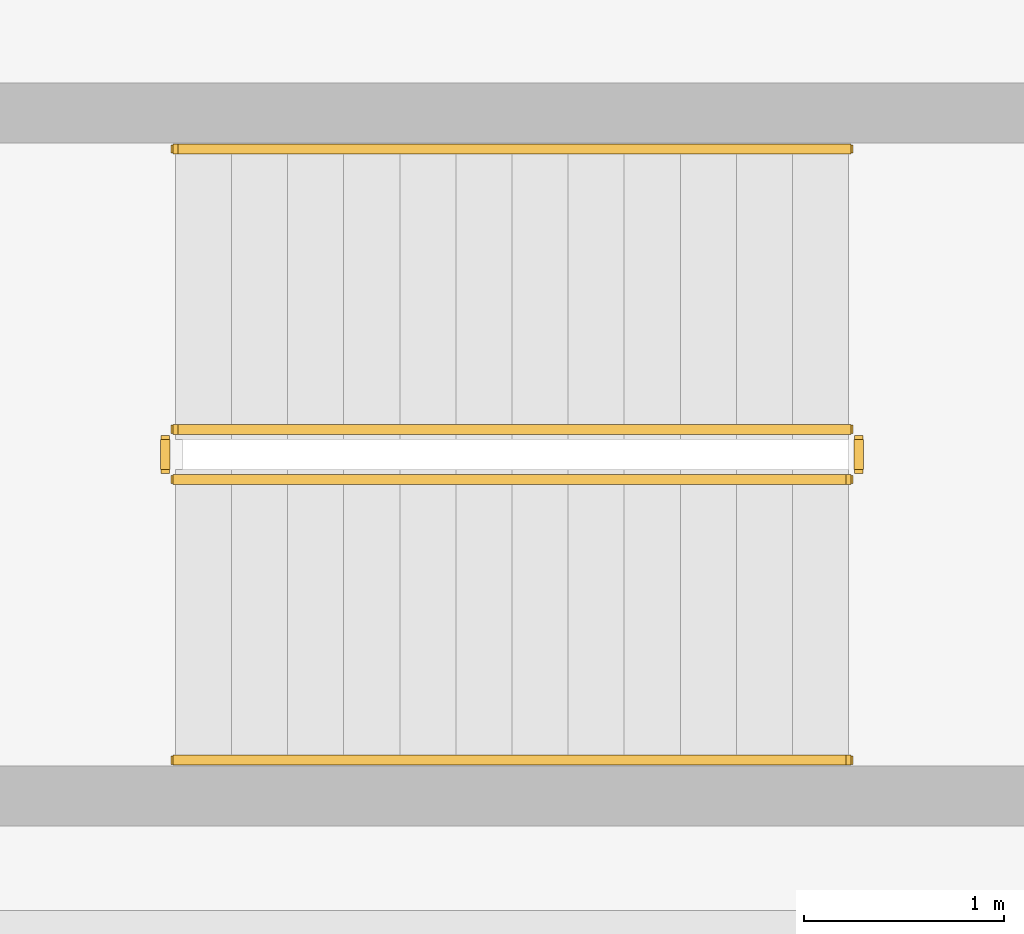
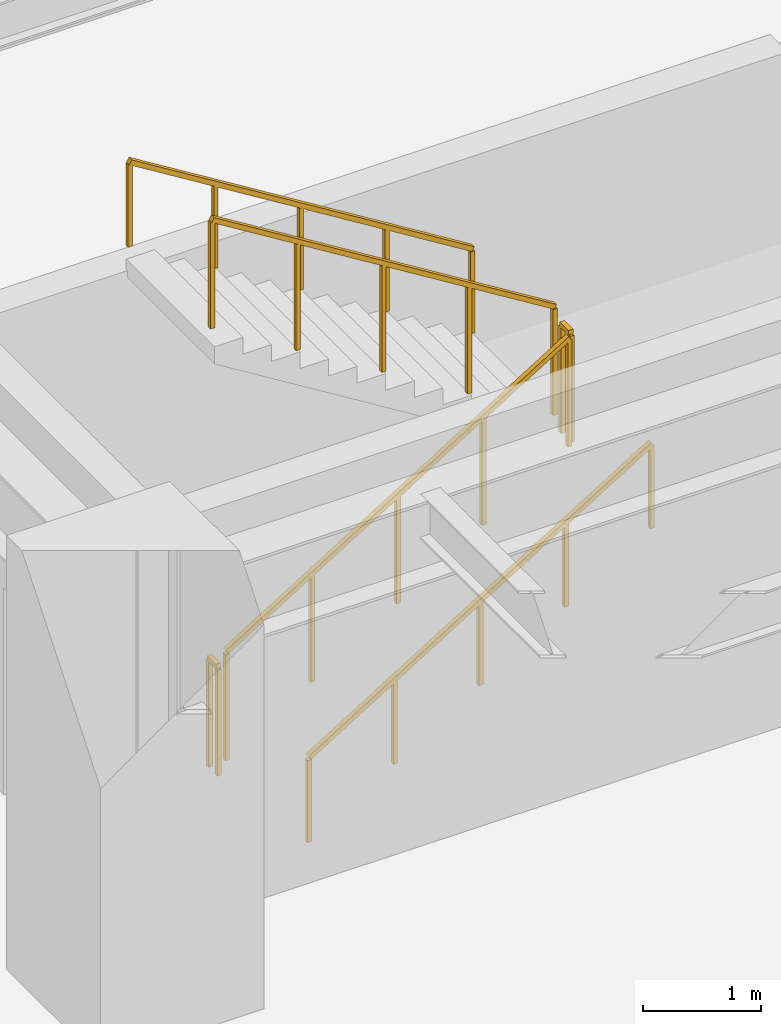
# One storey, part 7 of 7: 6 railings.
"""IFC4 building model written with IfcOpenShell, lengths in metres."""

from ifc_helpers import new_model, si_unit, direction, frame, origin, origin_2d, place, context, subcontext, project, spatial, rectangle, extrude, material, type_object, element, save


model = new_model("IFC4")

# Units and contexts
model_context = context("Model", 3, precision=1e-05, world=origin(), true_north=direction((0.0, 1.0)))
body_context = subcontext(model_context, "Body", "Model", "MODEL_VIEW")
ifc_project = project(units=[si_unit("LENGTHUNIT", "METRE"), si_unit("AREAUNIT", "SQUARE_METRE"), si_unit("VOLUMEUNIT", "CUBIC_METRE"), si_unit("PLANEANGLEUNIT", "RADIAN"), si_unit("MASSUNIT", "GRAM", prefix="KILO")], contexts=[model_context])

# Site, building, storey
site_placement = place(None, origin())
site = spatial("IfcSite", under=ifc_project, at=site_placement, CompositionType="ELEMENT")
building_placement = place(site_placement, origin())
building = spatial("IfcBuilding", under=site, at=building_placement, Name="Mawjaban Terraces University", CompositionType="ELEMENT")
storey_placement = place(building_placement, frame((0.0, 0.0, -4.5)))
storey = spatial("IfcBuildingStorey", under=building, at=storey_placement, Name="B1", CompositionType="ELEMENT", Elevation=-4.5)

# Railings
ifc_material_1 = material(Name="Brushed stainless steel 316", Category="steel")
railing_type_1 = type_object("IfcRailingType", Name="StairWallHandrail_900", PredefinedType="HANDRAIL", material=ifc_material_1)
railing_1_placement = place(storey_placement, frame((39.89990234375, 42.14990234375, 0.173095703125)))
element("IfcRailing", 1, at=railing_1_placement, inside=storey, type_object=railing_type_1, Name="B1 ST-4 stair handrail 1", PredefinedType="HANDRAIL", context=body_context, shape_type="SweptSolid", body=[
    extrude(rectangle(XDim=0.048095703125, YDim=0.048095703125, at=origin_2d()), frame((0.0, 0.0, 0.8759765625), z_axis=(0.850623216509, 0.0, 0.525775754039), x_axis=(0.0, 1.0, 0.0)), (0.0, 0.0, 1.0), 3.9501953125),
    extrude(rectangle(XDim=0.0419921875, YDim=0.0419921875, at=origin_2d()), origin(), (0.0, 0.0, 1.0), 0.851806640625),
    extrude(rectangle(XDim=0.0419921875, YDim=0.0419921875, at=origin_2d()), frame((0.840087890625, 0.0, 0.519287109375)), (0.0, 0.0, 1.0), 0.851806640625),
    extrude(rectangle(XDim=0.0419921875, YDim=0.0419921875, at=origin_2d()), frame((1.68017578125, 0.0, 1.03857421875)), (0.0, 0.0, 1.0), 0.851806640625),
    extrude(rectangle(XDim=0.0419921875, YDim=0.0419921875, at=origin_2d()), frame((2.52001953125, 0.0, 1.5576171875)), (0.0, 0.0, 1.0), 0.851806640625),
    extrude(rectangle(XDim=0.0419921875, YDim=0.0419921875, at=origin_2d()), frame((3.360107421875, 0.0, 2.076904296875)), (0.0, 0.0, 1.0), 0.851806640625),
])
railing_2_placement = place(storey_placement, frame((43.260009765625, 45.199951171875, 2.423095703125)))
element("IfcRailing", 2, at=railing_2_placement, inside=storey, type_object=railing_type_1, Name="B1 ST-4 stair handrail 2", PredefinedType="HANDRAIL", context=body_context, shape_type="SweptSolid", body=[
    extrude(rectangle(XDim=0.048095703125, YDim=0.048095703125, at=origin_2d()), frame((0.0, 0.0, 0.8759765625), z_axis=(-0.850623216509, 0.0, 0.525775754039), x_axis=(0.0, -1.0, 0.0)), (0.0, 0.0, 1.0), 3.9501953125),
    extrude(rectangle(XDim=0.0419921875, YDim=0.0419921875, at=origin_2d()), origin(), (0.0, 0.0, 1.0), 0.851806640625),
    extrude(rectangle(XDim=0.0419921875, YDim=0.0419921875, at=origin_2d()), frame((-0.840087890625, 0.0, 0.519287109375)), (0.0, 0.0, 1.0), 0.851806640625),
    extrude(rectangle(XDim=0.0419921875, YDim=0.0419921875, at=origin_2d()), frame((-1.68017578125, 0.0, 1.03857421875)), (0.0, 0.0, 1.0), 0.851806640625),
    extrude(rectangle(XDim=0.0419921875, YDim=0.0419921875, at=origin_2d()), frame((-2.52001953125, 0.0, 1.5576171875)), (0.0, 0.0, 1.0), 0.851806640625),
    extrude(rectangle(XDim=0.0419921875, YDim=0.0419921875, at=origin_2d()), frame((-3.360107421875, 0.0, 2.076904296875)), (0.0, 0.0, 1.0), 0.851806640625),
])
ifc_material_2 = material(Name="Galvanised painted steel S355", Category="steel")
railing_type_2 = type_object("IfcRailingType", Name="StairWellGuard_1150", PredefinedType="BALUSTRADE", material=ifc_material_2)
railing_3_placement = place(storey_placement, frame((39.89990234375, 43.550048828125, 0.173095703125)))
element("IfcRailing", 3, at=railing_3_placement, inside=storey, type_object=railing_type_2, Name="B1 ST-4 stair guard 1", PredefinedType="BALUSTRADE", context=body_context, shape_type="SweptSolid", body=[
    extrude(rectangle(XDim=0.048095703125, YDim=0.048095703125, at=origin_2d()), frame((0.0, 0.0, 1.1259765625), z_axis=(0.850623216509, 0.0, 0.525775754039), x_axis=(0.0, 1.0, 0.0)), (0.0, 0.0, 1.0), 3.9501953125),
    extrude(rectangle(XDim=0.0419921875, YDim=0.0419921875, at=origin_2d()), origin(), (0.0, 0.0, 1.0), 1.101806640625),
    extrude(rectangle(XDim=0.0419921875, YDim=0.0419921875, at=origin_2d()), frame((0.840087890625, 0.0, 0.519287109375)), (0.0, 0.0, 1.0), 1.101806640625),
    extrude(rectangle(XDim=0.0419921875, YDim=0.0419921875, at=origin_2d()), frame((1.68017578125, 0.0, 1.03857421875)), (0.0, 0.0, 1.0), 1.101806640625),
    extrude(rectangle(XDim=0.0419921875, YDim=0.0419921875, at=origin_2d()), frame((2.52001953125, 0.0, 1.5576171875)), (0.0, 0.0, 1.0), 1.101806640625),
    extrude(rectangle(XDim=0.0419921875, YDim=0.0419921875, at=origin_2d()), frame((3.360107421875, 0.0, 2.076904296875)), (0.0, 0.0, 1.0), 1.101806640625),
])
railing_4_placement = place(storey_placement, frame((43.31005859375, 43.60009765625, 2.25)))
element("IfcRailing", 4, at=railing_4_placement, inside=storey, type_object=railing_type_2, Name="B1 ST-4 stair guard 2", PredefinedType="BALUSTRADE", context=body_context, shape_type="SweptSolid", body=[
    extrude(rectangle(XDim=0.048095703125, YDim=0.048095703125, at=origin_2d()), frame((0.0, 0.0, 1.1259765625), z_axis=(0.0, 1.0, 0.0), x_axis=(-1.0, 0.0, 0.0)), (0.0, 0.0, 1.0), 0.14990234375),
    extrude(rectangle(XDim=0.0419921875, YDim=0.0419921875, at=origin_2d()), origin(), (0.0, 0.0, 1.0), 1.101806640625),
    extrude(rectangle(XDim=0.0419921875, YDim=0.0419921875, at=origin_2d()), frame((0.0, 0.14990234375, 0.0)), (0.0, 0.0, 1.0), 1.101806640625),
])
railing_5_placement = place(storey_placement, frame((43.260009765625, 43.800048828125, 2.423095703125)))
element("IfcRailing", 5, at=railing_5_placement, inside=storey, type_object=railing_type_2, Name="B1 ST-4 stair guard 3", PredefinedType="BALUSTRADE", context=body_context, shape_type="SweptSolid", body=[
    extrude(rectangle(XDim=0.048095703125, YDim=0.048095703125, at=origin_2d()), frame((0.0, 0.0, 1.1259765625), z_axis=(-0.850623216509, 0.0, 0.525775754039), x_axis=(0.0, -1.0, 0.0)), (0.0, 0.0, 1.0), 3.9501953125),
    extrude(rectangle(XDim=0.0419921875, YDim=0.0419921875, at=origin_2d()), origin(), (0.0, 0.0, 1.0), 1.101806640625),
    extrude(rectangle(XDim=0.0419921875, YDim=0.0419921875, at=origin_2d()), frame((-0.840087890625, 0.0, 0.519287109375)), (0.0, 0.0, 1.0), 1.101806640625),
    extrude(rectangle(XDim=0.0419921875, YDim=0.0419921875, at=origin_2d()), frame((-1.68017578125, 0.0, 1.03857421875)), (0.0, 0.0, 1.0), 1.101806640625),
    extrude(rectangle(XDim=0.0419921875, YDim=0.0419921875, at=origin_2d()), frame((-2.52001953125, 0.0, 1.5576171875)), (0.0, 0.0, 1.0), 1.101806640625),
    extrude(rectangle(XDim=0.0419921875, YDim=0.0419921875, at=origin_2d()), frame((-3.360107421875, 0.0, 2.076904296875)), (0.0, 0.0, 1.0), 1.101806640625),
])
railing_6_placement = place(storey_placement, frame((39.85009765625, 43.60009765625, 0.0)))
element("IfcRailing", 6, at=railing_6_placement, inside=storey, type_object=railing_type_2, Name="B1 ST-4 stair guard 4", PredefinedType="BALUSTRADE", context=body_context, shape_type="SweptSolid", body=[
    extrude(rectangle(XDim=0.048095703125, YDim=0.048095703125, at=origin_2d()), frame((0.0, 0.0, 1.1259765625), z_axis=(0.0, 1.0, 0.0), x_axis=(-1.0, 0.0, 0.0)), (0.0, 0.0, 1.0), 0.14990234375),
    extrude(rectangle(XDim=0.0419921875, YDim=0.0419921875, at=origin_2d()), origin(), (0.0, 0.0, 1.0), 1.101806640625),
    extrude(rectangle(XDim=0.0419921875, YDim=0.0419921875, at=origin_2d()), frame((0.0, 0.14990234375, 0.0)), (0.0, 0.0, 1.0), 1.101806640625),
])

save(model, "model.ifc")
